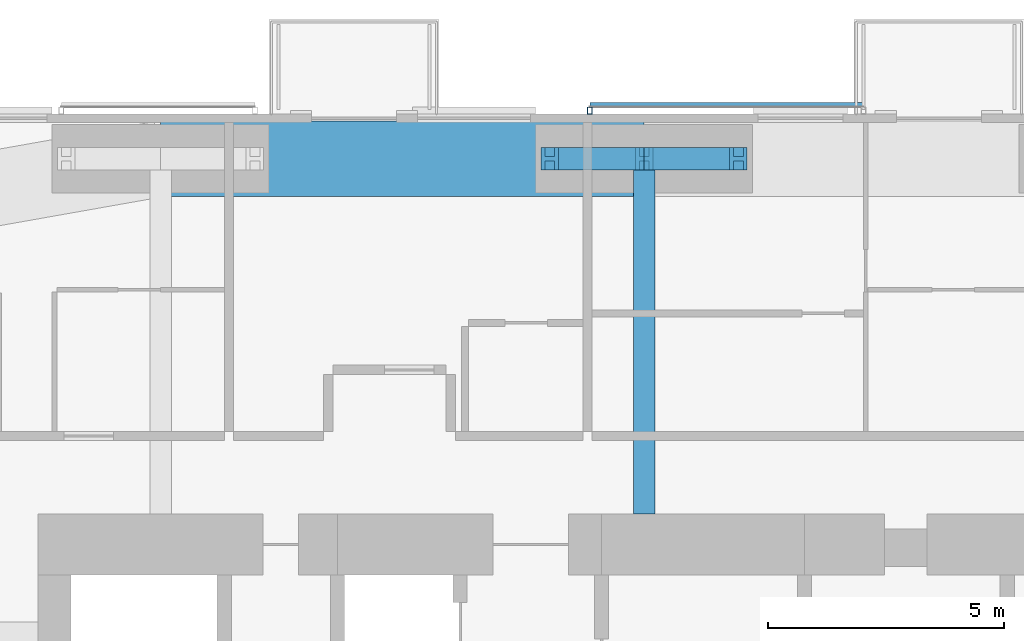
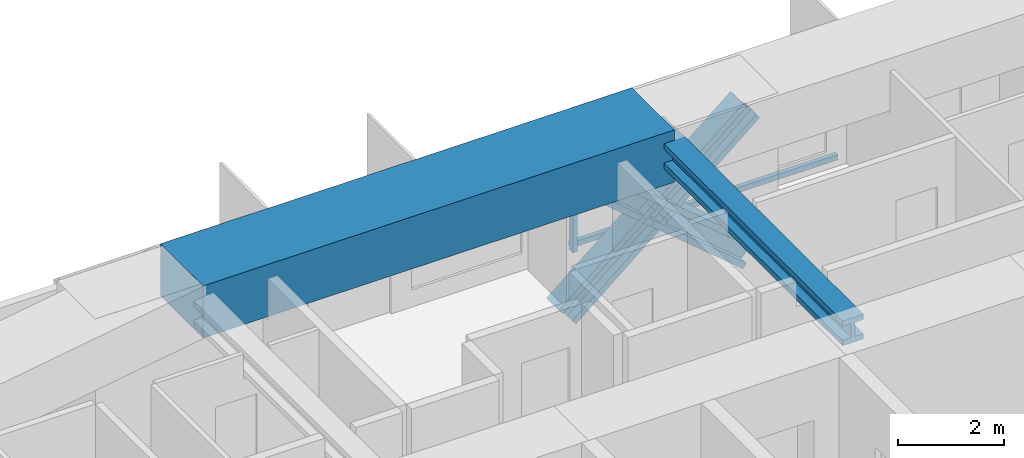
# One storey, part 11 of 23: 6 members, 2 beams, 1 element without a shape of its own.
"""IFC4 building model written with IfcOpenShell, lengths in metres."""

from ifc_helpers import new_model, si_unit, direction, frame, origin, origin_2d, place, context, subcontext, project, spatial, rectangle, hollow_rectangle, i_section, extrude, material, material_profile, profile_set, type_object, element, aggregate, save


model = new_model("IFC4")

# Units and contexts
model_context = context("Model", 3, precision=1e-05, world=origin(), true_north=direction((0.0, 1.0)))
body_context = subcontext(model_context, "Body", "Model", "MODEL_VIEW")
ifc_project = project(units=[si_unit("LENGTHUNIT", "METRE"), si_unit("AREAUNIT", "SQUARE_METRE"), si_unit("VOLUMEUNIT", "CUBIC_METRE"), si_unit("PLANEANGLEUNIT", "RADIAN"), si_unit("MASSUNIT", "GRAM", prefix="KILO")], contexts=[model_context])

# Site, building, storey
site_placement = place(None, origin())
site = spatial("IfcSite", under=ifc_project, at=site_placement, CompositionType="ELEMENT")
building_placement = place(site_placement, origin())
building = spatial("IfcBuilding", under=site, at=building_placement, Name="Jalousie Tower", CompositionType="ELEMENT")
storey_placement = place(building_placement, frame((0.0, 0.0, 164.39990234375)))
storey = spatial("IfcBuildingStorey", under=building, at=storey_placement, Name="L44", CompositionType="ELEMENT", Elevation=164.39990234375)

# Beam
ifc_material_1 = material(Name="Steel ASTM A992 Grade 50", Category="steel")
ifc_material_profile_1 = material_profile(ifc_material_1, i_section(OverallWidth=0.45458984375, OverallDepth=0.569091796875, WebThickness=0.077880859375, FlangeThickness=0.124755859375, at=origin_2d()), Name="W14X730")
ifc_profile_set_1 = profile_set([ifc_material_profile_1], Name="Steel ASTM A992 Grade 50")
beam_type_1 = type_object("IfcBeamType", Name="LEAN COLLECTOR W14X730", PredefinedType="BEAM", material=ifc_profile_set_1)
beam_1_placement = place(storey_placement, frame((32.5, 35.050048828125, 2.82568359375), z_axis=(0.0, -1.0, 0.0), x_axis=(1.0, 0.0, 0.0)))
element("IfcBeam", 1, at=beam_1_placement, inside=storey, type_object=beam_type_1, Name="Lean collector under L45", PredefinedType="BEAM", context=body_context, shape_type="SweptSolid", body=[
    extrude(i_section(OverallWidth=0.45458984375, OverallDepth=0.569091796875, WebThickness=0.077880859375, FlangeThickness=0.124755859375, at=origin_2d()), origin(), (0.0, 0.0, 1.0), 7.525146484375),
])

# Members
ifc_material_2 = material(Name="Steel ASTM A992 Grade 50", Category="steel")
ifc_material_profile_2 = material_profile(ifc_material_2, i_section(OverallWidth=0.472412109375, OverallDepth=0.5791015625, WebThickness=0.094970703125, FlangeThickness=0.1298828125, at=origin_2d()), Name="W14X808")
ifc_profile_set_2 = profile_set([ifc_material_profile_2], Name="Steel ASTM A992 Grade 50")
member_type_1 = type_object("IfcMemberType", Name="PERIMETER BRACE W14X808", PredefinedType="BRACE", material=ifc_profile_set_2)
member_1_placement = place(storey_placement, frame((30.5, 35.050048828125, -0.599853515625), z_axis=(0.766638753323, 0.0, 0.642078672674), x_axis=(0.0, 1.0, 0.0)))
element("IfcMember", 2, at=member_1_placement, inside=storey, type_object=member_type_1, Name="Perimeter brace 10 L44 part 1", PredefinedType="BRACE", context=body_context, shape_type="SweptSolid", body=[
    extrude(i_section(OverallWidth=0.472412109375, OverallDepth=0.5791015625, WebThickness=0.094970703125, FlangeThickness=0.1298828125, at=origin_2d()), origin(), (0.0, 0.0, 1.0), 2.60888671875),
])
member_2_placement = place(storey_placement, frame((32.5, 35.050048828125, 1.0751953125), z_axis=(0.766684820047, 0.0, 0.642023665225), x_axis=(0.0, 1.0, 0.0)))
element("IfcMember", 3, at=member_2_placement, inside=storey, type_object=member_type_1, Name="Perimeter brace 10 L44 part 2", PredefinedType="BRACE", context=body_context, shape_type="SweptSolid", body=[
    extrude(i_section(OverallWidth=0.472412109375, OverallDepth=0.5791015625, WebThickness=0.094970703125, FlangeThickness=0.1298828125, at=origin_2d()), origin(), (0.0, 0.0, 1.0), 2.608642578125),
])
member_3_placement = place(storey_placement, frame((34.5, 35.050048828125, -0.599853515625), z_axis=(-0.766638753323, 0.0, 0.642078672674), x_axis=(0.0, -1.0, 0.0)))
element("IfcMember", 4, at=member_3_placement, inside=storey, type_object=member_type_1, Name="Perimeter brace 10 L44 part 3", PredefinedType="BRACE", context=body_context, shape_type="SweptSolid", body=[
    extrude(i_section(OverallWidth=0.472412109375, OverallDepth=0.5791015625, WebThickness=0.094970703125, FlangeThickness=0.1298828125, at=origin_2d()), origin(), (0.0, 0.0, 1.0), 2.60888671875),
])
member_4_placement = place(storey_placement, frame((32.5, 35.050048828125, 1.0751953125), z_axis=(-0.766684820047, 0.0, 0.642023665225), x_axis=(0.0, -1.0, 0.0)))
element("IfcMember", 5, at=member_4_placement, inside=storey, type_object=member_type_1, Name="Perimeter brace 10 L44 part 4", PredefinedType="BRACE", context=body_context, shape_type="SweptSolid", body=[
    extrude(i_section(OverallWidth=0.472412109375, OverallDepth=0.5791015625, WebThickness=0.094970703125, FlangeThickness=0.1298828125, at=origin_2d()), origin(), (0.0, 0.0, 1.0), 2.608642578125),
])

# Beam
ifc_material_3 = material(Name="Concrete f'c 40 MPa", Category="concrete")
ifc_material_profile_3 = material_profile(ifc_material_3, rectangle(XDim=1.60009765625, YDim=1.199951171875, at=origin_2d()), Name="RC 1600x1200")
ifc_profile_set_3 = profile_set([ifc_material_profile_3], Name="Concrete f'c 40 MPa")
beam_type_2 = type_object("IfcBeamType", Name="RC BEAM 1600x1200", PredefinedType="BEAM", material=ifc_profile_set_3)
beam_2_placement = place(storey_placement, frame((32.5, 35.050048828125, 2.75), z_axis=(-1.0, 0.0, 0.0), x_axis=(0.0, -1.0, 0.0)))
element("IfcBeam", 6, at=beam_2_placement, inside=storey, type_object=beam_type_2, Name="Edge band beam 10-11 under L45", PredefinedType="BEAM", context=body_context, shape_type="SweptSolid", body=[
    extrude(rectangle(XDim=1.60009765625, YDim=1.199951171875, at=origin_2d()), origin(), (0.0, 0.0, 1.0), 10.25),
])

# Curtain wall, members
ifc_material_4 = material(Name="Perforated aluminium sheet", Category="aluminium")
curtain_wall_type = type_object("IfcCurtainWallType", Name="SOLAR SCREEN SS-1", PredefinedType="USERDEFINED", material=ifc_material_4)
curtain_wall_placement = place(storey_placement, origin())
curtain_wall = element("IfcCurtainWall", 7, at=curtain_wall_placement, inside=storey, type_object=curtain_wall_type, Name="Solar screen L44", ObjectType="SOLAR SCREEN SS-1", PredefinedType="USERDEFINED")
ifc_material_5 = material(Name="Steel ASTM A500 Grade C", Category="steel")
ifc_material_profile_4 = material_profile(ifc_material_5, hollow_rectangle(XDim=0.1015625, YDim=0.15234375, WallThickness=0.00634765625, at=origin_2d()), Name="HSS6X4X1/4")
ifc_profile_set_4 = profile_set([ifc_material_profile_4], Name="Steel ASTM A500 Grade C")
member_type_2 = type_object("IfcMemberType", Name="SOLAR SCREEN SS-1 MULLION", PredefinedType="MULLION", material=ifc_profile_set_4)
member_5_placement = place(storey_placement, frame((31.35009765625, 36.0712890625, -0.119873046875), z_axis=(0.0, 0.0, 1.0), x_axis=(-1.0, 0.0, 0.0)))
member_5 = element("IfcMember", 8, at=member_5_placement, type_object=member_type_2, Name="SS1 post 2", PredefinedType="MULLION", context=body_context, shape_type="SweptSolid", body=[
    extrude(hollow_rectangle(XDim=0.1015625, YDim=0.15234375, WallThickness=0.00634765625, at=origin_2d()), origin(), (0.0, 0.0, 1.0), 3.22998046875),
])
ifc_material_6 = material(Name="Extruded aluminium screen rail", Category="aluminium")
ifc_material_profile_5 = material_profile(ifc_material_6, rectangle(XDim=0.1015625, YDim=0.1201171875, at=origin_2d()), Name="RAIL 102x120")
ifc_profile_set_5 = profile_set([ifc_material_profile_5], Name="Extruded aluminium screen rail")
member_type_3 = type_object("IfcMemberType", Name="SOLAR SCREEN SS-1 TRANSOM", PredefinedType="USERDEFINED", material=ifc_profile_set_5)
member_6_placement = place(storey_placement, frame((37.14990234375, 36.1982421875, -0.059814453125), z_axis=(-1.0, 0.0, 0.0), x_axis=(0.0, -1.0, 0.0)))
member_6 = element("IfcMember", 9, at=member_6_placement, type_object=member_type_3, Name="SS1 rail", ObjectType="TRANSOM", PredefinedType="USERDEFINED", context=body_context, shape_type="SweptSolid", body=[
    extrude(rectangle(XDim=0.1015625, YDim=0.1201171875, at=origin_2d()), origin(), (0.0, 0.0, 1.0), 5.7998046875),
])
aggregate(curtain_wall, [member_5, member_6])

save(model, "model.ifc")
